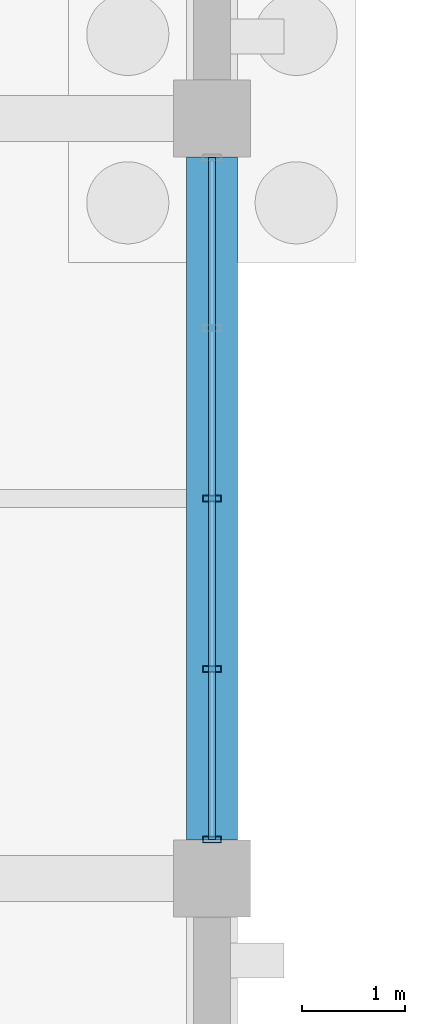
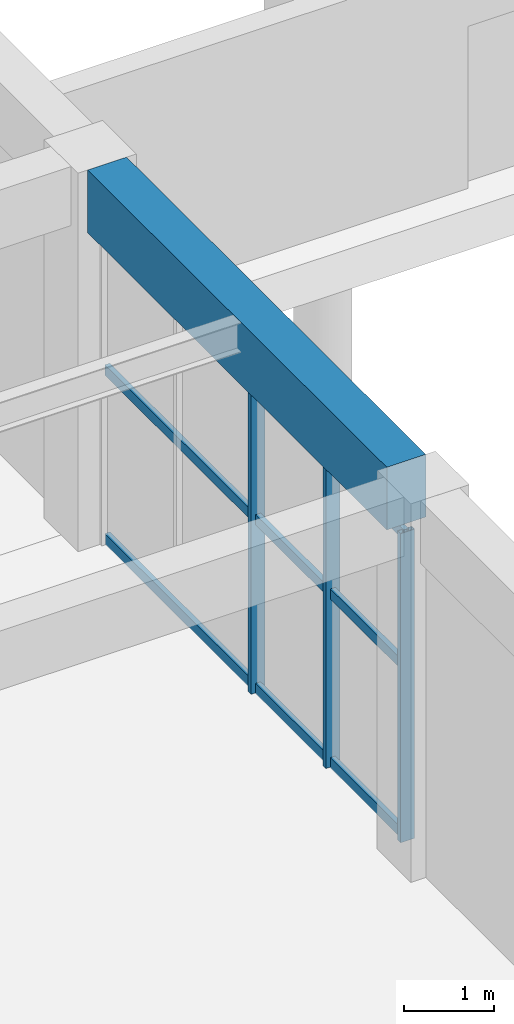
# One storey, part 15 of 140: 6 members, 1 beam, 1 element without a shape of its own.
"""IFC4 building model written with IfcOpenShell, lengths in metres."""

from ifc_helpers import new_model, si_unit, direction, frame, origin, origin_2d, place, context, subcontext, project, spatial, rectangle, hollow_rectangle, extrude, material, material_profile, profile_set, type_object, element, aggregate, save


model = new_model("IFC4")

# Units and contexts
model_context = context("Model", 3, precision=1e-05, world=origin(), true_north=direction((0.0, 1.0)))
body_context = subcontext(model_context, "Body", "Model", "MODEL_VIEW")
ifc_project = project(units=[si_unit("LENGTHUNIT", "METRE"), si_unit("AREAUNIT", "SQUARE_METRE"), si_unit("VOLUMEUNIT", "CUBIC_METRE"), si_unit("PLANEANGLEUNIT", "RADIAN"), si_unit("MASSUNIT", "GRAM", prefix="KILO")], contexts=[model_context])

# Site, building, storey
site_placement = place(None, origin())
site = spatial("IfcSite", under=ifc_project, at=site_placement, CompositionType="ELEMENT")
building_placement = place(site_placement, origin())
building = spatial("IfcBuilding", under=site, at=building_placement, Name="Cimatlan Art Gallery", CompositionType="ELEMENT")
storey_placement = place(building_placement, origin())
storey = spatial("IfcBuildingStorey", under=building, at=storey_placement, Name="L00", CompositionType="ELEMENT", Elevation=0.0)

# Beam
ifc_material_1 = material(Name="Concrete C40/50", Category="concrete")
ifc_material_profile_1 = material_profile(ifc_material_1, rectangle(XDim=0.5, YDim=0.85009765625, at=origin_2d()), Name="RC500X850")
ifc_profile_set_1 = profile_set([ifc_material_profile_1], Name="Concrete C40/50")
beam_type = type_object("IfcBeamType", Name="BM-RC-500X850", PredefinedType="BEAM", material=ifc_profile_set_1)
beam_placement = place(storey_placement, frame((18.199951171875, 61.27490234375, 4.7099609375), z_axis=(0.0, 1.0, 0.0), x_axis=(-1.0, 0.0, 0.0)))
element("IfcBeam", 1, at=beam_placement, inside=storey, type_object=beam_type, Name="BM-Y-L00-02-08", PredefinedType="BEAM", context=body_context, shape_type="SweptSolid", body=[
    extrude(rectangle(XDim=0.5, YDim=0.85009765625, at=origin_2d()), origin(), (0.0, 0.0, 1.0), 6.650146484375),
])

# Curtain wall, members
ifc_material_2 = material(Name="Anodised bronze unitised curtain wall")
curtain_wall_type = type_object("IfcCurtainWallType", Name="CW-V-06642X04195-B4", PredefinedType="NOTDEFINED", material=ifc_material_2)
curtain_wall_placement = place(storey_placement, origin())
curtain_wall = element("IfcCurtainWall", 2, at=curtain_wall_placement, inside=storey, type_object=curtain_wall_type, Name="CW-L00-01-08-E", PredefinedType="NOTDEFINED")
ifc_material_3 = material(Name="Anodised bronze aluminium 6063-T6", Category="aluminium")
ifc_material_profile_2 = material_profile(ifc_material_3, hollow_rectangle(XDim=0.06494140625, YDim=0.179931640625, WallThickness=0.00390625, at=origin_2d()), Name="ALU65X180X4")
ifc_profile_set_2 = profile_set([ifc_material_profile_2], Name="Anodised bronze aluminium 6063-T6")
member_type_1 = type_object("IfcMemberType", Name="CW-MUL-180", PredefinedType="MULLION", material=ifc_profile_set_2)
member_1_placement = place(storey_placement, frame((18.199951171875, 64.60009765625, 0.0), z_axis=(0.0, 0.0, 1.0), x_axis=(0.0, 1.0, 0.0)))
member_1 = element("IfcMember", 3, at=member_1_placement, type_object=member_type_1, Name="CW-L00-01-08-E-M3", PredefinedType="MULLION", context=body_context, shape_type="SweptSolid", body=[
    extrude(hollow_rectangle(XDim=0.06494140625, YDim=0.179931640625, WallThickness=0.00390625, at=origin_2d()), origin(), (0.0, 0.0, 1.0), 4.195068359375),
])
member_2_placement = place(storey_placement, frame((18.199951171875, 62.939453125, 0.0), z_axis=(0.0, 0.0, 1.0), x_axis=(0.0, 1.0, 0.0)))
member_2 = element("IfcMember", 4, at=member_2_placement, type_object=member_type_1, Name="CW-L00-01-08-E-M4", PredefinedType="MULLION", context=body_context, shape_type="SweptSolid", body=[
    extrude(hollow_rectangle(XDim=0.06494140625, YDim=0.179931640625, WallThickness=0.00390625, at=origin_2d()), origin(), (0.0, 0.0, 1.0), 4.195068359375),
])
member_3_placement = place(storey_placement, frame((18.199951171875, 61.279052734375, 0.0), z_axis=(0.0, 0.0, 1.0), x_axis=(0.0, 1.0, 0.0)))
member_3 = element("IfcMember", 5, at=member_3_placement, type_object=member_type_1, Name="CW-L00-01-08-E-M5", PredefinedType="MULLION", context=body_context, shape_type="SweptSolid", body=[
    extrude(hollow_rectangle(XDim=0.06494140625, YDim=0.179931640625, WallThickness=0.00390625, at=origin_2d()), origin(), (0.0, 0.0, 1.0), 4.195068359375),
])
ifc_material_profile_3 = material_profile(ifc_material_3, hollow_rectangle(XDim=0.06494140625, YDim=0.139892578125, WallThickness=0.00390625, at=origin_2d()), Name="ALU65X140X4")
ifc_profile_set_3 = profile_set([ifc_material_profile_3], Name="Anodised bronze aluminium 6063-T6")
member_type_2 = type_object("IfcMemberType", Name="CW-TRN-140", PredefinedType="USERDEFINED", material=ifc_profile_set_3)
member_4_placement = place(storey_placement, frame((18.199951171875, 67.9208984375, 0.06005859375), z_axis=(0.0, -1.0, 0.0), x_axis=(1.0, 0.0, 0.0)))
member_4 = element("IfcMember", 6, at=member_4_placement, type_object=member_type_2, Name="CW-L00-01-08-E-T1", ObjectType="TRANSOM", PredefinedType="USERDEFINED", context=body_context, shape_type="SweptSolid", body=[
    extrude(hollow_rectangle(XDim=0.06494140625, YDim=0.139892578125, WallThickness=0.00390625, at=origin_2d()), origin(), (0.0, 0.0, 1.0), 6.641845703125),
])
member_5_placement = place(storey_placement, frame((18.199951171875, 67.9208984375, 2.34912109375), z_axis=(0.0, -1.0, 0.0), x_axis=(1.0, 0.0, 0.0)))
member_5 = element("IfcMember", 7, at=member_5_placement, type_object=member_type_2, Name="CW-L00-01-08-E-T2", ObjectType="TRANSOM", PredefinedType="USERDEFINED", context=body_context, shape_type="SweptSolid", body=[
    extrude(hollow_rectangle(XDim=0.06494140625, YDim=0.139892578125, WallThickness=0.00390625, at=origin_2d()), origin(), (0.0, 0.0, 1.0), 6.641845703125),
])
member_6_placement = place(storey_placement, frame((18.199951171875, 67.9208984375, 4.135009765625), z_axis=(0.0, -1.0, 0.0), x_axis=(1.0, 0.0, 0.0)))
member_6 = element("IfcMember", 8, at=member_6_placement, type_object=member_type_2, Name="CW-L00-01-08-E-T3", ObjectType="TRANSOM", PredefinedType="USERDEFINED", context=body_context, shape_type="SweptSolid", body=[
    extrude(hollow_rectangle(XDim=0.06494140625, YDim=0.139892578125, WallThickness=0.00390625, at=origin_2d()), origin(), (0.0, 0.0, 1.0), 6.641845703125),
])
aggregate(curtain_wall, [member_1, member_2, member_3, member_4, member_5, member_6])

save(model, "model.ifc")
